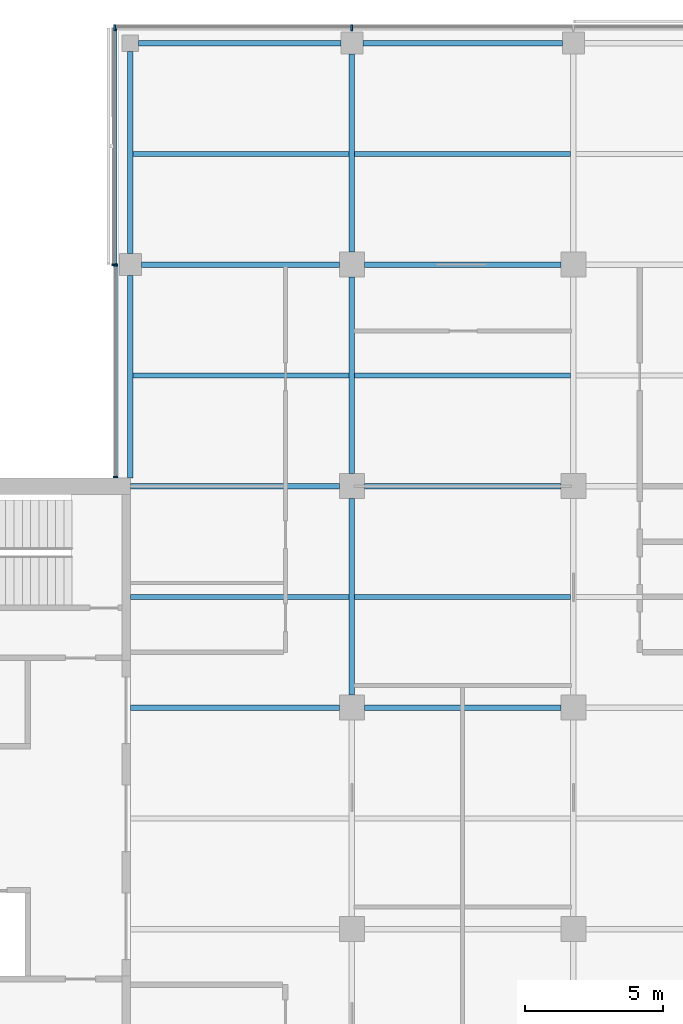
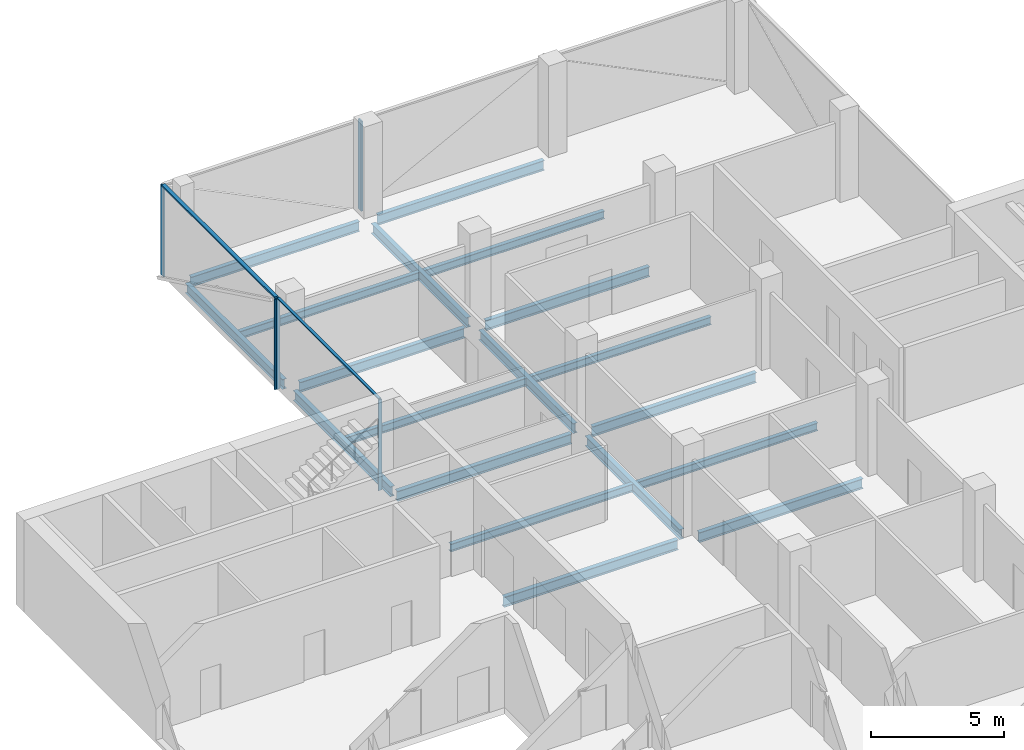
# One storey, part 5 of 16: 19 beams, 7 members, 3 elements without a shape of their own.
"""IFC4 building model written with IfcOpenShell, lengths in metres."""

from ifc_helpers import new_model, si_unit, direction, frame, origin, origin_2d, place, context, subcontext, project, spatial, rectangle, i_section, extrude, material, material_profile, profile_set, type_object, element, aggregate, save


model = new_model("IFC4")

# Units and contexts
model_context = context("Model", 3, precision=1e-05, world=origin(), true_north=direction((0.0, 1.0)))
body_context = subcontext(model_context, "Body", "Model", "MODEL_VIEW")
ifc_project = project(units=[si_unit("LENGTHUNIT", "METRE"), si_unit("AREAUNIT", "SQUARE_METRE"), si_unit("VOLUMEUNIT", "CUBIC_METRE"), si_unit("PLANEANGLEUNIT", "RADIAN"), si_unit("MASSUNIT", "GRAM", prefix="KILO")], contexts=[model_context])

# Site, building, storey
site_placement = place(None, origin())
site = spatial("IfcSite", under=ifc_project, at=site_placement, CompositionType="ELEMENT")
building_placement = place(site_placement, origin())
building = spatial("IfcBuilding", under=site, at=building_placement, Name="Crosswind Convention Tower", CompositionType="ELEMENT")
storey_placement = place(building_placement, frame((0.0, 0.0, 208.300048828125)))
storey = spatial("IfcBuildingStorey", under=building, at=storey_placement, Name="L44", CompositionType="ELEMENT", Elevation=208.300048828125)

# Beams
ifc_material_1 = material(Name="Steel S355", Category="steel")
ifc_material_profile_1 = material_profile(ifc_material_1, i_section(OverallWidth=0.18994140625, OverallDepth=0.45361328125, WebThickness=0.008544921875, FlangeThickness=0.0126953125, FilletRadius=0.01025390625, at=origin_2d()), Name="UB 457x191x67")
ifc_profile_set_1 = profile_set([ifc_material_profile_1], Name="Steel S355")
beam_type_1 = type_object("IfcBeamType", Name="Edge beam UB 457x191x67", PredefinedType="SPANDREL", material=ifc_profile_set_1)
for number, where, z_axis, x_axis, name in (
    (1, (113.0, 112.300048828125, -0.52685546875), (0.0, 1.0, 0.0), (-1.0, 0.0, 0.0), "B16 L44 edge beam 3"),
    (2, (113.0, 120.39990234375, -0.52685546875), (0.0, 1.0, 0.0), (-1.0, 0.0, 0.0), "B16 L44 edge beam 4"),
    (3, (113.300048828125, 128.0, -0.52685546875), (1.0, 0.0, 0.0), (0.0, 1.0, 0.0), "B16 L44 edge beam 6"),
):
    element("IfcBeam", number, at=place(storey_placement, frame(where, z_axis=z_axis, x_axis=x_axis)), inside=storey, type_object=beam_type_1, Name=name, PredefinedType="SPANDREL", context=body_context, shape_type="SweptSolid", body=[
        extrude(i_section(OverallWidth=0.18994140625, OverallDepth=0.45361328125, WebThickness=0.008544921875, FlangeThickness=0.0126953125, FilletRadius=0.01025390625, at=origin_2d()), origin(), (0.0, 0.0, 1.0), 7.300048828125),
    ])
beam_1_placement = place(storey_placement, frame((121.39990234375, 128.0, -0.52685546875), z_axis=(1.0, 0.0, 0.0), x_axis=(0.0, 1.0, 0.0)))
element("IfcBeam", 4, at=beam_1_placement, inside=storey, type_object=beam_type_1, Name="B16 L44 edge beam 8", PredefinedType="SPANDREL", context=body_context, shape_type="SweptSolid", body=[
    extrude(i_section(OverallWidth=0.18994140625, OverallDepth=0.45361328125, WebThickness=0.008544921875, FlangeThickness=0.0126953125, FilletRadius=0.01025390625, at=origin_2d()), origin(), (0.0, 0.0, 1.0), 7.2001953125),
])
ifc_material_profile_2 = material_profile(ifc_material_1, i_section(OverallWidth=0.1904296875, OverallDepth=0.457275390625, WebThickness=0.009033203125, FlangeThickness=0.014404296875, FilletRadius=0.01025390625, at=origin_2d()), Name="UB 457x191x75")
ifc_profile_set_2 = profile_set([ifc_material_profile_2], Name="Steel S355")
beam_type_2 = type_object("IfcBeamType", Name="Girder UB 457x191x75", PredefinedType="BEAM", material=ifc_profile_set_2)
beam_2_placement = place(storey_placement, frame((113.39990234375, 120.0, -0.528564453125), z_axis=(1.0, 0.0, 0.0), x_axis=(0.0, 1.0, 0.0)))
element("IfcBeam", 5, at=beam_2_placement, inside=storey, type_object=beam_type_2, Name="B2 L44 girder 2", PredefinedType="BEAM", context=body_context, shape_type="SweptSolid", body=[
    extrude(i_section(OverallWidth=0.1904296875, OverallDepth=0.457275390625, WebThickness=0.009033203125, FlangeThickness=0.014404296875, FilletRadius=0.01025390625, at=origin_2d()), origin(), (0.0, 0.0, 1.0), 7.150146484375),
])
for number, where, z_axis, x_axis, name in (
    (6, (121.0, 104.449951171875, -0.528564453125), (0.0, 1.0, 0.0), (-1.0, 0.0, 0.0), "B2 L44 girder 7"),
    (7, (121.0, 112.449951171875, -0.528564453125), (0.0, 1.0, 0.0), (-1.0, 0.0, 0.0), "B2 L44 girder 8"),
):
    element("IfcBeam", number, at=place(storey_placement, frame(where, z_axis=z_axis, x_axis=x_axis)), inside=storey, type_object=beam_type_2, Name=name, PredefinedType="BEAM", context=body_context, shape_type="SweptSolid", body=[
        extrude(i_section(OverallWidth=0.1904296875, OverallDepth=0.457275390625, WebThickness=0.009033203125, FlangeThickness=0.014404296875, FilletRadius=0.01025390625, at=origin_2d()), origin(), (0.0, 0.0, 1.0), 7.10009765625),
    ])
beam_3_placement = place(storey_placement, frame((121.0, 120.449951171875, -0.528564453125), z_axis=(0.0, 1.0, 0.0), x_axis=(-1.0, 0.0, 0.0)))
element("IfcBeam", 8, at=beam_3_placement, inside=storey, type_object=beam_type_2, Name="B2 L44 girder 9", PredefinedType="BEAM", context=body_context, shape_type="SweptSolid", body=[
    extrude(i_section(OverallWidth=0.1904296875, OverallDepth=0.457275390625, WebThickness=0.009033203125, FlangeThickness=0.014404296875, FilletRadius=0.01025390625, at=origin_2d()), origin(), (0.0, 0.0, 1.0), 7.150146484375),
])
for number, where, z_axis, x_axis, name in (
    (9, (121.449951171875, 104.0, -0.528564453125), (1.0, 0.0, 0.0), (0.0, 1.0, 0.0), "B2 L44 girder 13"),
    (10, (121.449951171875, 112.0, -0.528564453125), (1.0, 0.0, 0.0), (0.0, 1.0, 0.0), "B2 L44 girder 14"),
    (11, (121.449951171875, 120.0, -0.528564453125), (1.0, 0.0, 0.0), (0.0, 1.0, 0.0), "B2 L44 girder 15"),
):
    element("IfcBeam", number, at=place(storey_placement, frame(where, z_axis=z_axis, x_axis=x_axis)), inside=storey, type_object=beam_type_2, Name=name, PredefinedType="BEAM", context=body_context, shape_type="SweptSolid", body=[
        extrude(i_section(OverallWidth=0.1904296875, OverallDepth=0.457275390625, WebThickness=0.009033203125, FlangeThickness=0.014404296875, FilletRadius=0.01025390625, at=origin_2d()), origin(), (0.0, 0.0, 1.0), 7.10009765625),
    ])
ifc_material_profile_3 = material_profile(ifc_material_1, i_section(OverallWidth=0.19140625, OverallDepth=0.460205078125, WebThickness=0.010009765625, FlangeThickness=0.01611328125, FilletRadius=0.01025390625, at=origin_2d()), Name="UB 457x191x82")
ifc_profile_set_3 = profile_set([ifc_material_profile_3], Name="Steel S355")
beam_type_3 = type_object("IfcBeamType", Name="Girder at core wall UB 457x191x82", PredefinedType="BEAM", material=ifc_profile_set_3)
for number, where, z_axis, x_axis, name in (
    (12, (113.0, 104.0, -0.530029296875), (1.0, 0.0, 0.0), (0.0, 1.0, 0.0), "B23 L44 girder at core wall 3"),
    (13, (113.0, 112.0, -0.530029296875), (1.0, 0.0, 0.0), (0.0, 1.0, 0.0), "B23 L44 girder at core wall 4"),
):
    element("IfcBeam", number, at=place(storey_placement, frame(where, z_axis=z_axis, x_axis=x_axis)), inside=storey, type_object=beam_type_3, Name=name, PredefinedType="BEAM", context=body_context, shape_type="SweptSolid", body=[
        extrude(i_section(OverallWidth=0.19140625, OverallDepth=0.460205078125, WebThickness=0.010009765625, FlangeThickness=0.01611328125, FilletRadius=0.01025390625, at=origin_2d()), origin(), (0.0, 0.0, 1.0), 7.550048828125),
    ])

# Curtain wall, members
ifc_material_2 = material(Name="Aluminium unitised curtain wall", Category="aluminium")
curtain_wall_type_1 = type_object("IfcCurtainWallType", Name="CORE END SLOT WALL 160", PredefinedType="USERDEFINED", material=ifc_material_2)
curtain_wall_1_placement = place(storey_placement, origin())
curtain_wall_1 = element("IfcCurtainWall", 14, at=curtain_wall_1_placement, inside=storey, type_object=curtain_wall_type_1, Name="CW6 L44 N-W.1-2 slot", ObjectType="UNITISED", PredefinedType="USERDEFINED")
ifc_material_3 = material(Name="Aluminium mullion", Category="aluminium")
ifc_material_profile_4 = material_profile(ifc_material_3, rectangle(XDim=0.159912109375, YDim=0.050048828125, at=origin_2d()), Name="AL 160X50")
ifc_profile_set_4 = profile_set([ifc_material_profile_4], Name="Aluminium mullion")
member_type_1 = type_object("IfcMemberType", Name="MULLION 50X160", PredefinedType="MULLION", material=ifc_profile_set_4)
member_1_placement = place(storey_placement, frame((112.469970703125, 119.97509765625, -0.300048828125), z_axis=(0.0, 0.0, 1.0), x_axis=(-1.0, 0.0, 0.0)))
member_1 = element("IfcMember", 15, at=member_1_placement, type_object=member_type_1, Name="CW6 mullion 1", PredefinedType="MULLION", context=body_context, shape_type="SweptSolid", body=[
    extrude(rectangle(XDim=0.159912109375, YDim=0.050048828125, at=origin_2d()), origin(), (0.0, 0.0, 1.0), 4.14990234375),
])
member_2_placement = place(storey_placement, frame((112.469970703125, 112.324951171875, -0.300048828125), z_axis=(0.0, 0.0, 1.0), x_axis=(-1.0, 0.0, 0.0)))
member_2 = element("IfcMember", 16, at=member_2_placement, type_object=member_type_1, Name="CW6 mullion 2", PredefinedType="MULLION", context=body_context, shape_type="SweptSolid", body=[
    extrude(rectangle(XDim=0.159912109375, YDim=0.050048828125, at=origin_2d()), origin(), (0.0, 0.0, 1.0), 4.14990234375),
])

curtain_wall_type_2 = type_object("IfcCurtainWallType", Name="OFFICE UNITISED WALL 220", PredefinedType="USERDEFINED", material=ifc_material_2)
curtain_wall_2_placement = place(storey_placement, origin())
curtain_wall_2 = element("IfcCurtainWall", 17, at=curtain_wall_2_placement, inside=storey, type_object=curtain_wall_type_2, Name="CW3 L44 N-TIP 1", ObjectType="UNITISED", PredefinedType="USERDEFINED")
ifc_material_profile_5 = material_profile(ifc_material_3, rectangle(XDim=0.219970703125, YDim=0.070068359375, at=origin_2d()), Name="AL 220X70")
ifc_profile_set_5 = profile_set([ifc_material_profile_5], Name="Aluminium mullion")
member_type_2 = type_object("IfcMemberType", Name="MULLION 70X220", PredefinedType="MULLION", material=ifc_profile_set_5)
member_3_placement = place(storey_placement, frame((121.0, 128.56005859375, -0.300048828125), z_axis=(0.0, 0.0, 1.0), x_axis=(0.0, 1.0, 0.0)))
member_3 = element("IfcMember", 18, at=member_3_placement, type_object=member_type_2, Name="CW3 mullion 3", PredefinedType="MULLION", context=body_context, shape_type="SweptSolid", body=[
    extrude(rectangle(XDim=0.219970703125, YDim=0.070068359375, at=origin_2d()), origin(), (0.0, 0.0, 1.0), 4.1298828125),
])
member_4_placement = place(storey_placement, frame((112.43994140625, 128.56005859375, -0.300048828125), z_axis=(0.0, 0.0, 1.0), x_axis=(0.0, 1.0, 0.0)))
member_4 = element("IfcMember", 19, at=member_4_placement, type_object=member_type_2, Name="CW3 mullion 4", PredefinedType="MULLION", context=body_context, shape_type="SweptSolid", body=[
    extrude(rectangle(XDim=0.219970703125, YDim=0.070068359375, at=origin_2d()), origin(), (0.0, 0.0, 1.0), 4.1298828125),
])
aggregate(curtain_wall_2, [member_3, member_4])

# Curtain wall, member
curtain_wall_3_placement = place(storey_placement, origin())
curtain_wall_3 = element("IfcCurtainWall", 20, at=curtain_wall_3_placement, inside=storey, type_object=curtain_wall_type_2, Name="CW3 L44 N-W 1", ObjectType="UNITISED", PredefinedType="USERDEFINED")
member_5_placement = place(storey_placement, frame((112.43994140625, 120.0, -0.300048828125), z_axis=(0.0, 0.0, 1.0), x_axis=(-1.0, 0.0, 0.0)))
member_5 = element("IfcMember", 21, at=member_5_placement, type_object=member_type_2, Name="CW3 mullion 2", PredefinedType="MULLION", context=body_context, shape_type="SweptSolid", body=[
    extrude(rectangle(XDim=0.219970703125, YDim=0.070068359375, at=origin_2d()), origin(), (0.0, 0.0, 1.0), 4.1298828125),
])

# Beams
ifc_material_profile_6 = material_profile(ifc_material_1, i_section(OverallWidth=0.172119140625, OverallDepth=0.358642578125, WebThickness=0.008056640625, FlangeThickness=0.012939453125, FilletRadius=0.01025390625, at=origin_2d()), Name="UB 356x171x57")
ifc_profile_set_6 = profile_set([ifc_material_profile_6], Name="Steel S355")
beam_type_4 = type_object("IfcBeamType", Name="Secondary beam UB 356x171x57", PredefinedType="JOIST", material=ifc_profile_set_6)
beam_4_placement = place(storey_placement, frame((113.0, 108.0, -0.479248046875), z_axis=(1.0, 0.0, 0.0), x_axis=(0.0, 1.0, 0.0)))
element("IfcBeam", 22, at=beam_4_placement, inside=storey, type_object=beam_type_4, Name="B9 L44 secondary beam 3", PredefinedType="JOIST", context=body_context, shape_type="SweptSolid", body=[
    extrude(i_section(OverallWidth=0.172119140625, OverallDepth=0.358642578125, WebThickness=0.008056640625, FlangeThickness=0.012939453125, FilletRadius=0.01025390625, at=origin_2d()), origin(), (0.0, 0.0, 1.0), 7.90478515625),
])
for number, where, z_axis, x_axis, name in (
    (23, (113.094970703125, 116.0, -0.479248046875), (1.0, 0.0, 0.0), (0.0, 1.0, 0.0), "B9 L44 secondary beam 6"),
    (24, (113.094970703125, 124.0, -0.479248046875), (1.0, 0.0, 0.0), (0.0, 1.0, 0.0), "B9 L44 secondary beam 7"),
):
    element("IfcBeam", number, at=place(storey_placement, frame(where, z_axis=z_axis, x_axis=x_axis)), inside=storey, type_object=beam_type_4, Name=name, PredefinedType="JOIST", context=body_context, shape_type="SweptSolid", body=[
        extrude(i_section(OverallWidth=0.172119140625, OverallDepth=0.358642578125, WebThickness=0.008056640625, FlangeThickness=0.012939453125, FilletRadius=0.01025390625, at=origin_2d()), origin(), (0.0, 0.0, 1.0), 7.809814453125),
    ])
for number, where, z_axis, x_axis, name in (
    (25, (121.09521484375, 108.0, -0.479248046875), (1.0, 0.0, 0.0), (0.0, 1.0, 0.0), "B9 L44 secondary beam 12"),
    (26, (121.09521484375, 116.0, -0.479248046875), (1.0, 0.0, 0.0), (0.0, 1.0, 0.0), "B9 L44 secondary beam 13"),
    (27, (121.09521484375, 124.0, -0.479248046875), (1.0, 0.0, 0.0), (0.0, 1.0, 0.0), "B9 L44 secondary beam 14"),
):
    element("IfcBeam", number, at=place(storey_placement, frame(where, z_axis=z_axis, x_axis=x_axis)), inside=storey, type_object=beam_type_4, Name=name, PredefinedType="JOIST", context=body_context, shape_type="SweptSolid", body=[
        extrude(i_section(OverallWidth=0.172119140625, OverallDepth=0.358642578125, WebThickness=0.008056640625, FlangeThickness=0.012939453125, FilletRadius=0.01025390625, at=origin_2d()), origin(), (0.0, 0.0, 1.0), 7.8095703125),
    ])

# Member
ifc_material_4 = material(Name="Aluminium transom", Category="aluminium")
ifc_material_profile_7 = material_profile(ifc_material_4, rectangle(XDim=0.1201171875, YDim=0.050048828125, at=origin_2d()), Name="AL 120X50")
ifc_profile_set_7 = profile_set([ifc_material_profile_7], Name="Aluminium transom")
member_type_3 = type_object("IfcMemberType", Name="TRANSOM 50X120", PredefinedType="USERDEFINED", material=ifc_profile_set_7)
member_6_placement = place(storey_placement, frame((112.469970703125, 119.949951171875, 3.875), z_axis=(0.0, -1.0, 0.0), x_axis=(1.0, 0.0, 0.0)))
member_6 = element("IfcMember", 28, at=member_6_placement, type_object=member_type_3, Name="CW6 transom", ObjectType="TRANSOM", PredefinedType="USERDEFINED", context=body_context, shape_type="SweptSolid", body=[
    extrude(rectangle(XDim=0.1201171875, YDim=0.050048828125, at=origin_2d()), origin(), (0.0, 0.0, 1.0), 7.599853515625),
])

aggregate(curtain_wall_1, [member_1, member_2, member_6])

ifc_material_profile_8 = material_profile(ifc_material_4, rectangle(XDim=0.159912109375, YDim=0.070068359375, at=origin_2d()), Name="AL 160X70")
ifc_profile_set_8 = profile_set([ifc_material_profile_8], Name="Aluminium transom")
member_type_4 = type_object("IfcMemberType", Name="TRANSOM 70X160", PredefinedType="USERDEFINED", material=ifc_profile_set_8)
member_7_placement = place(storey_placement, frame((112.43994140625, 128.52490234375, 3.864990234375), z_axis=(0.0, -1.0, 0.0), x_axis=(1.0, 0.0, 0.0)))
member_7 = element("IfcMember", 29, at=member_7_placement, type_object=member_type_4, Name="CW3 transom", ObjectType="TRANSOM", PredefinedType="USERDEFINED", context=body_context, shape_type="SweptSolid", body=[
    extrude(rectangle(XDim=0.159912109375, YDim=0.070068359375, at=origin_2d()), origin(), (0.0, 0.0, 1.0), 8.489990234375),
])

aggregate(curtain_wall_3, [member_5, member_7])

save(model, "model.ifc")
